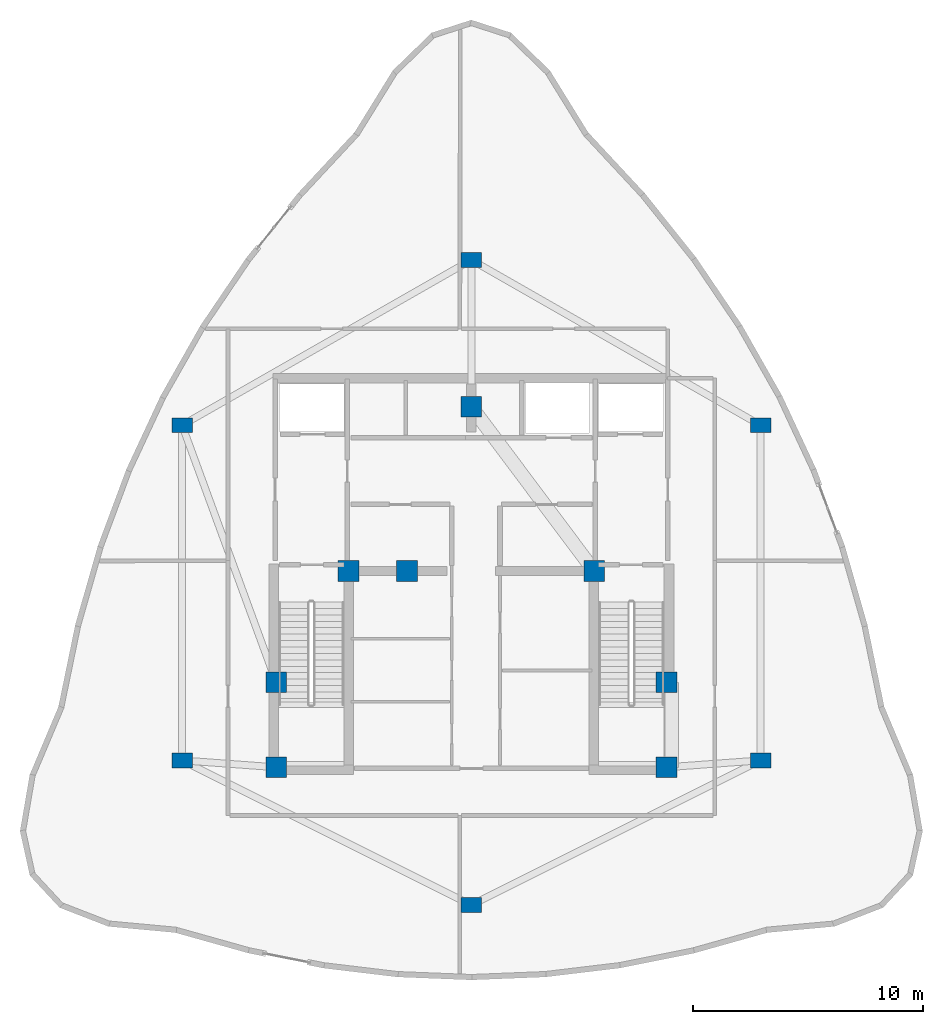
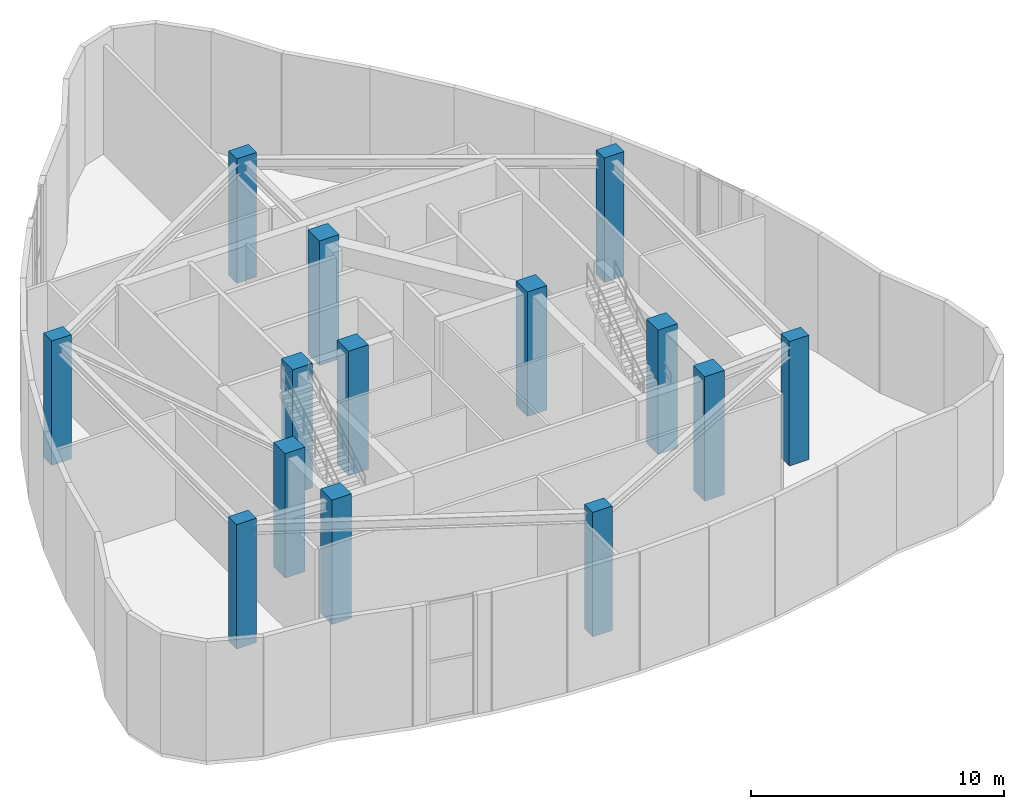
# One storey, part 1 of 11: 14 columns.
"""IFC4 building model written with IfcOpenShell, lengths in metres."""

from ifc_helpers import new_model, si_unit, direction, frame, origin, origin_2d, place, context, subcontext, project, spatial, rectangle, extrude, material, material_profile, profile_set, type_object, element, save


model = new_model("IFC4")

# Units and contexts
model_context = context("Model", 3, precision=1e-05, world=origin(), true_north=direction((0.0, 1.0)))
body_context = subcontext(model_context, "Body", "Model", "MODEL_VIEW")
ifc_project = project(units=[si_unit("LENGTHUNIT", "METRE"), si_unit("AREAUNIT", "SQUARE_METRE"), si_unit("VOLUMEUNIT", "CUBIC_METRE"), si_unit("PLANEANGLEUNIT", "RADIAN"), si_unit("MASSUNIT", "GRAM", prefix="KILO")], contexts=[model_context])

# Site, building, storey
site_placement = place(None, origin())
site = spatial("IfcSite", under=ifc_project, at=site_placement, CompositionType="ELEMENT")
building_placement = place(site_placement, origin())
building = spatial("IfcBuilding", under=site, at=building_placement, Name="Miruveldt Soraemaru", CompositionType="ELEMENT")
storey_placement = place(building_placement, frame((0.0, 0.0, 300.800048828125)))
storey = spatial("IfcBuildingStorey", under=building, at=storey_placement, Name="L80", CompositionType="ELEMENT", Elevation=300.800048828125)

# Columns
ifc_material = material(Name="Concrete C50/60 (50 MPa)", Category="concrete")
ifc_material_profile_1 = material_profile(ifc_material, rectangle(XDim=0.89990234375, YDim=0.89990234375, at=origin_2d()), Name="Concrete C50/60 (50 MPa)", Category="concrete")
ifc_profile_set_1 = profile_set([ifc_material_profile_1], Name="Concrete C50/60 (50 MPa)")
column_type_1 = type_object("IfcColumnType", Name="COL-CORE-900", PredefinedType="COLUMN", material=ifc_profile_set_1)
for number, where, z_axis, x_axis, name in (
    (1, (35.5, 35.5, 0.0), (0.0, 0.0, 1.0), (1.0, 0.0, 0.0), "L80 Structural Column CC1"),
    (2, (38.64990234375, 44.050048828125, 0.0), (0.0, 0.0, 1.0), (1.0, 0.0, 0.0), "L80 Structural Column CC2"),
    (3, (52.5, 35.5, 0.0), (0.0, 0.0, 1.0), (1.0, 0.0, 0.0), "L80 Structural Column CC3"),
    (4, (52.5, 39.199951171875, 0.0), (0.0, 0.0, 1.0), (1.0, 0.0, 0.0), "L80 Structural Column CC4"),
    (5, (49.35009765625, 44.050048828125, 0.0), (0.0, 0.0, 1.0), (1.0, 0.0, 0.0), "L80 Structural Column CC5"),
    (6, (44.0, 51.199951171875, 0.0), (0.0, 0.0, 1.0), (1.0, 0.0, 0.0), "L80 Structural Column CC6"),
    (7, (35.5, 39.199951171875, 0.0), (0.0, 0.0, 1.0), (1.0, 0.0, 0.0), "L80 Structural Column CC7"),
    (8, (41.199951171875, 44.050048828125, 0.0), (0.0, 0.0, 1.0), (1.0, 0.0, 0.0), "L80 Structural Column CC8"),
):
    element("IfcColumn", number, at=place(storey_placement, frame(where, z_axis=z_axis, x_axis=x_axis)), inside=storey, type_object=column_type_1, Name=name, PredefinedType="COLUMN", context=body_context, shape_type="SweptSolid", body=[
        extrude(rectangle(XDim=0.89990234375, YDim=0.89990234375, at=origin_2d()), origin(), (0.0, 0.0, 1.0), 6.0),
    ])
ifc_material_profile_2 = material_profile(ifc_material, rectangle(XDim=0.89990234375, YDim=0.64990234375, at=origin_2d()), Name="Concrete C50/60 (50 MPa)", Category="concrete")
ifc_profile_set_2 = profile_set([ifc_material_profile_2], Name="Concrete C50/60 (50 MPa)")
column_type_2 = type_object("IfcColumnType", Name="COL-TW-Z4", PredefinedType="COLUMN", material=ifc_profile_set_2)
for number, where, z_axis, x_axis, name in (
    (9, (44.0, 57.60009765625, 0.0), (0.0, 0.0, 1.0), (1.0, 0.0, 0.0), "L80 Structural Column IR01"),
    (10, (56.60009765625, 50.39990234375, 0.0), (0.0, 0.0, 1.0), (1.0, 0.0, 0.0), "L80 Structural Column IR02"),
    (11, (56.60009765625, 35.800048828125, 0.0), (0.0, 0.0, 1.0), (1.0, 0.0, 0.0), "L80 Structural Column IR03"),
    (12, (44.0, 29.5, 0.0), (0.0, 0.0, 1.0), (1.0, 0.0, 0.0), "L80 Structural Column IR04"),
    (13, (31.39990234375, 35.800048828125, 0.0), (0.0, 0.0, 1.0), (1.0, 0.0, 0.0), "L80 Structural Column IR05"),
    (14, (31.39990234375, 50.39990234375, 0.0), (0.0, 0.0, 1.0), (1.0, 0.0, 0.0), "L80 Structural Column IR06"),
):
    element("IfcColumn", number, at=place(storey_placement, frame(where, z_axis=z_axis, x_axis=x_axis)), inside=storey, type_object=column_type_2, Name=name, PredefinedType="COLUMN", context=body_context, shape_type="SweptSolid", body=[
        extrude(rectangle(XDim=0.89990234375, YDim=0.64990234375, at=origin_2d()), origin(), (0.0, 0.0, 1.0), 6.0),
    ])

save(model, "model.ifc")
